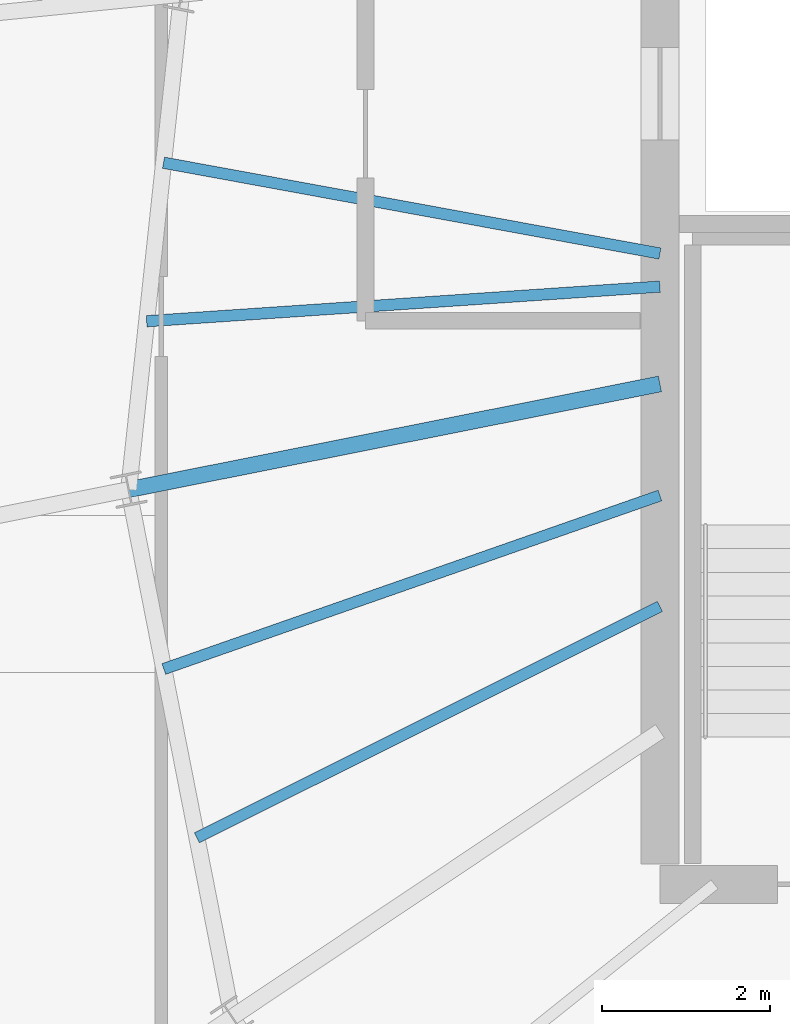
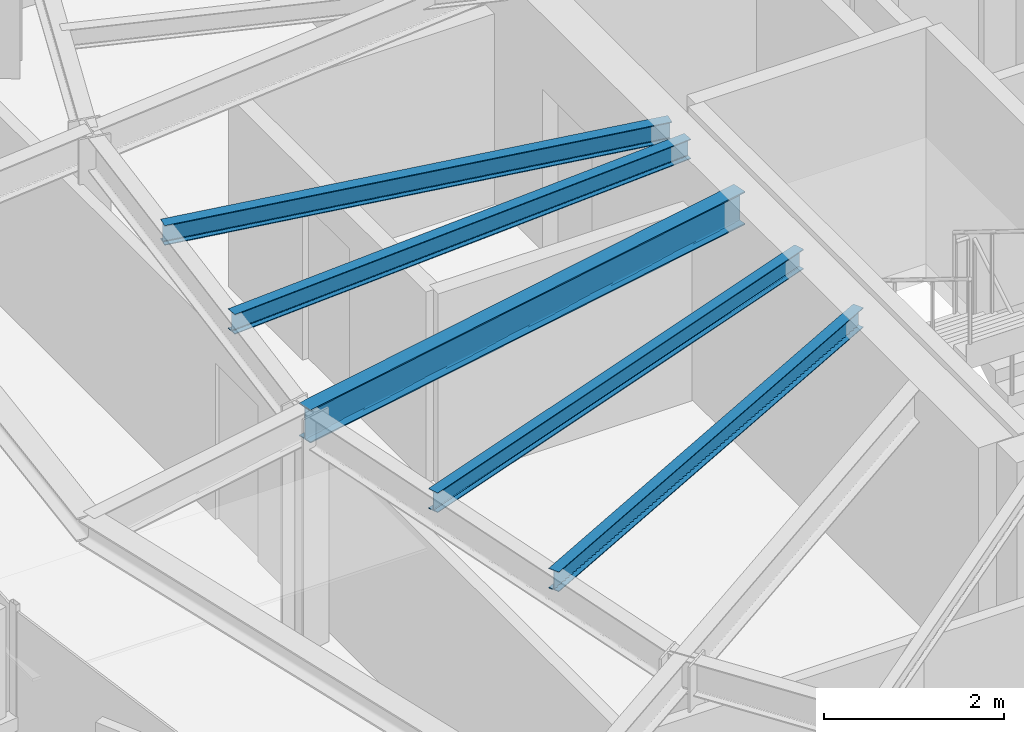
# One storey, part 10 of 33: 5 beams.
"""IFC4 building model written with IfcOpenShell, lengths in metres."""

from ifc_helpers import new_model, si_unit, direction, frame, origin, origin_2d, place, context, subcontext, project, spatial, i_section, extrude, source, transform, mapped, material, material_profile, profile_set, type_object, element, save


model = new_model("IFC4")

# Units and contexts
model_context = context("Model", 3, precision=1e-05, world=origin(), true_north=direction((0.0, 1.0)))
body_context = subcontext(model_context, "Body", "Model", "MODEL_VIEW")
ifc_project = project(units=[si_unit("LENGTHUNIT", "METRE"), si_unit("AREAUNIT", "SQUARE_METRE"), si_unit("VOLUMEUNIT", "CUBIC_METRE"), si_unit("PLANEANGLEUNIT", "RADIAN"), si_unit("MASSUNIT", "GRAM", prefix="KILO"), si_unit("THERMODYNAMICTEMPERATUREUNIT", "KELVIN")], contexts=[model_context])

# Site, building, storey
site_placement = place(None, origin())
site = spatial("IfcSite", under=ifc_project, at=site_placement, CompositionType="ELEMENT")
building_placement = place(site_placement, origin())
building = spatial("IfcBuilding", under=site, at=building_placement, Name="Kethvar Cultural Tower", CompositionType="ELEMENT")
storey_placement = place(building_placement, frame((0.0, 0.0, 266.35009765625)))
storey = spatial("IfcBuildingStorey", under=building, at=storey_placement, Name="L70", CompositionType="ELEMENT", Elevation=266.35009765625)

# Beams
ifc_material = material(Name="Steel S355J2", Category="steel")
ifc_material_profile_1 = material_profile(ifc_material, i_section(OverallWidth=0.18994140625, OverallDepth=0.449951171875, WebThickness=0.009521484375, FlangeThickness=0.0146484375, FilletRadius=0.02099609375, at=origin_2d()), Name="Steel S355J2 — IPE450")
ifc_profile_set_1 = profile_set([ifc_material_profile_1], Name="Steel S355J2 — IPE450")
beam_type_1 = type_object("IfcBeamType", Name="BM-IPE450", PredefinedType="BEAM", material=ifc_profile_set_1)
shared_shape_1 = source(origin(), body_context, "Body", "SweptSolid", [
    extrude(i_section(OverallWidth=0.18994140625, OverallDepth=0.449951171875, WebThickness=0.009521484375, FlangeThickness=0.0146484375, FilletRadius=0.02099609375, at=origin_2d()), origin(), (0.0, 0.0, 1.0), 6.440673828125),
])
beam_1_placement = place(storey_placement, frame((38.0, 26.049560546875, 2.98291015625), z_axis=(-0.980782804096, -0.195102770839, 0.0), x_axis=(0.195102770839, -0.980782804096, 0.0)))
element("IfcBeam", 1, at=beam_1_placement, inside=storey, type_object=beam_type_1, Name="L70 Primary Radial Beam RB-09", PredefinedType="BEAM", context=body_context, shape_type="MappedRepresentation", body=[
    mapped(shared_shape_1, transform((0.0, 0.0, 0.0), scale=1.0)),
])
ifc_material_profile_2 = material_profile(ifc_material, i_section(OverallWidth=0.135009765625, OverallDepth=0.27001953125, WebThickness=0.006591796875, FlangeThickness=0.01025390625, FilletRadius=0.014892578125, at=origin_2d()), Name="Steel S355J2 — IPE270")
ifc_profile_set_2 = profile_set([ifc_material_profile_2], Name="Steel S355J2 — IPE270")
beam_type_2 = type_object("IfcBeamType", Name="BM-J270", PredefinedType="JOIST", material=ifc_profile_set_2)
shared_shape_2 = source(origin(), body_context, "Body", "SweptSolid", [
    extrude(i_section(OverallWidth=0.135009765625, OverallDepth=0.27001953125, WebThickness=0.006591796875, FlangeThickness=0.01025390625, FilletRadius=0.014892578125, at=origin_2d()), origin(), (0.0, 0.0, 1.0), 5.99951171875),
])
beam_2_placement = place(storey_placement, frame((38.0, 27.60009765625, 3.072998046875), z_axis=(-0.983676616141, 0.179945310742, 0.0), x_axis=(-0.179945310742, -0.983676616141, 0.0)))
element("IfcBeam", 2, at=beam_2_placement, inside=storey, type_object=beam_type_2, Name="L70 Composite Floor Joist J-08A", PredefinedType="JOIST", context=body_context, shape_type="MappedRepresentation", body=[
    mapped(shared_shape_2, transform((0.0, 0.0, 0.0), scale=1.0)),
])
shared_shape_3 = source(origin(), body_context, "Body", "SweptSolid", [
    extrude(i_section(OverallWidth=0.135009765625, OverallDepth=0.27001953125, WebThickness=0.006591796875, FlangeThickness=0.01025390625, FilletRadius=0.014892578125, at=origin_2d()), origin(), (0.0, 0.0, 1.0), 6.116943359375),
])
beam_3_placement = place(storey_placement, frame((38.0, 27.206787109375, 3.072998046875), z_axis=(-0.997733289627, -0.067292516454, 0.0), x_axis=(0.067292516454, -0.997733289627, 0.0)))
element("IfcBeam", 3, at=beam_3_placement, inside=storey, type_object=beam_type_2, Name="L70 Composite Floor Joist J-08B", PredefinedType="JOIST", context=body_context, shape_type="MappedRepresentation", body=[
    mapped(shared_shape_3, transform((0.0, 0.0, 0.0), scale=1.0)),
])
shared_shape_4 = source(origin(), body_context, "Body", "SweptSolid", [
    extrude(i_section(OverallWidth=0.135009765625, OverallDepth=0.27001953125, WebThickness=0.006591796875, FlangeThickness=0.01025390625, FilletRadius=0.014892578125, at=origin_2d()), origin(), (0.0, 0.0, 1.0), 6.248779296875),
])
beam_4_placement = place(storey_placement, frame((38.0, 24.722900390625, 3.072998046875), z_axis=(-0.943960031743, -0.330059780148, 0.0), x_axis=(0.330059780148, -0.943960031743, 0.0)))
element("IfcBeam", 4, at=beam_4_placement, inside=storey, type_object=beam_type_2, Name="L70 Composite Floor Joist J-09A", PredefinedType="JOIST", context=body_context, shape_type="MappedRepresentation", body=[
    mapped(shared_shape_4, transform((0.0, 0.0, 0.0), scale=1.0)),
])
shared_shape_5 = source(origin(), body_context, "Body", "SweptSolid", [
    extrude(i_section(OverallWidth=0.135009765625, OverallDepth=0.27001953125, WebThickness=0.006591796875, FlangeThickness=0.01025390625, FilletRadius=0.014892578125, at=origin_2d()), origin(), (0.0, 0.0, 1.0), 6.154052734375),
])
beam_5_placement = place(storey_placement, frame((38.0, 23.40380859375, 3.072998046875), z_axis=(-0.89458581954, -0.446896197655, 0.0), x_axis=(0.446896197655, -0.89458581954, 0.0)))
element("IfcBeam", 5, at=beam_5_placement, inside=storey, type_object=beam_type_2, Name="L70 Composite Floor Joist J-09B", PredefinedType="JOIST", context=body_context, shape_type="MappedRepresentation", body=[
    mapped(shared_shape_5, transform((0.0, 0.0, 0.0), scale=1.0)),
])

save(model, "model.ifc")
